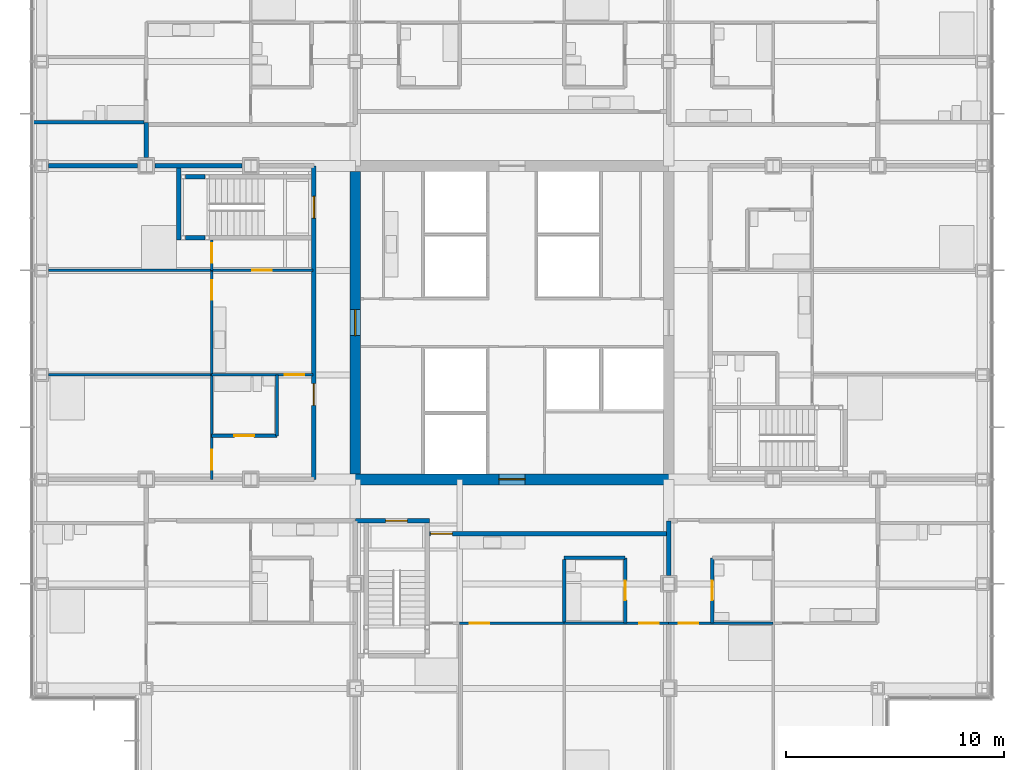
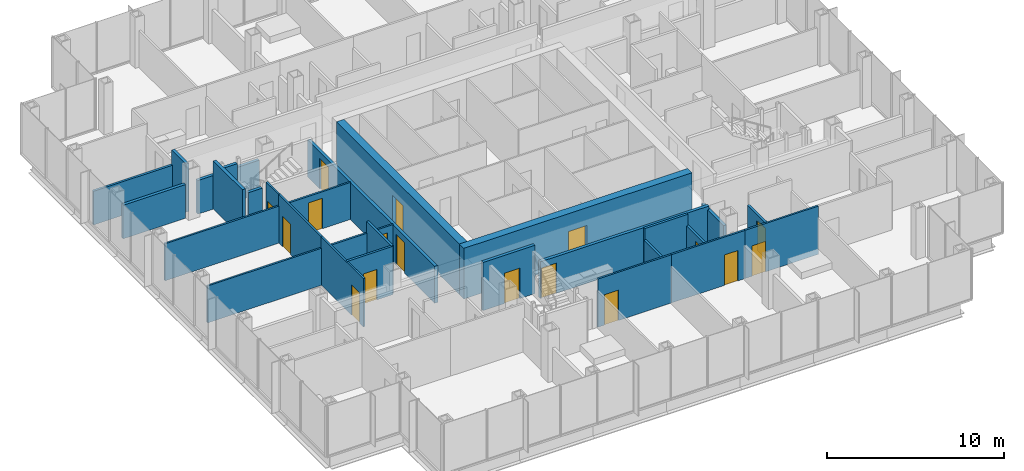
# One storey, part 14 of 21: 29 walls, 17 doors, 17 openings.
"""IFC4 building model written with IfcOpenShell, lengths in metres."""

import ifcopenshell
import ifcopenshell.guid

model = None  # the IFC model being written
_history = None  # IfcOwnerHistory: only IFC2X3 demands one
_inside = {}  # id of a spatial element -> (the spatial element, [elements in it])
_under = {}  # id of a project, library or spatial element -> (it, [spatial elements below it])
_declared = {}  # id of a project -> (the project, [libraries it declares])
_typed = {}  # id of a type object -> (the type object, [elements of that type])
_made_of = {}  # id of a material, layer set ... -> (it, [elements and type objects made of it])


def new_model(schema):
    """Start an empty IFC model of exactly this schema.

    Asked for "IFC4X3", IfcOpenShell would pick the latest addendum, in which some entities
    have other attributes; the version numbers below select the first issue.
    IFC2X3 requires an IfcOwnerHistory on every rooted entity: one is made here for all.
    """
    global model, _history
    if schema == "IFC4X3":
        model = ifcopenshell.file(schema_version=(4, 3, 0, 0))
    else:
        model = ifcopenshell.file(schema=schema)
    _inside.clear()
    _under.clear()
    _declared.clear()
    _typed.clear()
    _made_of.clear()
    _history = None
    if model.schema == "IFC2X3":
        org = make("IfcOrganization", Name="unknown")
        user = make(
            "IfcPersonAndOrganization",
            ThePerson=make("IfcPerson", FamilyName="unknown"),
            TheOrganization=org,
        )
        app = make(
            "IfcApplication",
            ApplicationDeveloper=org,
            Version="unknown",
            ApplicationFullName="unknown",
            ApplicationIdentifier="unknown",
        )
        _history = make(
            "IfcOwnerHistory",
            OwningUser=user,
            OwningApplication=app,
            ChangeAction="ADDED",
            CreationDate=0,
        )
    return model


def make(cls, **values):
    """One entity of the class cls with the attributes given. An attribute that is None is left unset."""
    return model.create_entity(
        cls, **{name: value for name, value in values.items() if value is not None}
    )


def rooted(cls, **values):
    """An entity with a GlobalId (a new one), such as an element, a storey or a relation."""
    return make(cls, GlobalId=ifcopenshell.guid.new(), OwnerHistory=_history, **values)


def si_unit(unit_type, name, prefix=None):
    """IfcSIUnit, for example si_unit("LENGTHUNIT", "METRE", prefix="MILLI")."""
    return make("IfcSIUnit", UnitType=unit_type, Prefix=prefix, Name=name)


def assignment(units):
    """IfcUnitAssignment: the units of a project."""
    return None if units is None else make("IfcUnitAssignment", Units=units)


def point(xyz):
    """IfcCartesianPoint."""
    return None if xyz is None else make("IfcCartesianPoint", Coordinates=xyz)


def direction(xyz):
    """IfcDirection."""
    return None if xyz is None else make("IfcDirection", DirectionRatios=xyz)


def frame(location, z_axis=None, x_axis=None):
    """IfcAxis2Placement3D, a coordinate frame: its origin and axes. An axis left out is left unset."""
    return make(
        "IfcAxis2Placement3D",
        Location=point(location),
        Axis=direction(z_axis),
        RefDirection=direction(x_axis),
    )


def frame_2d(location, x_axis=None):
    """IfcAxis2Placement2D, a coordinate frame in the plane: its origin and x axis."""
    return make(
        "IfcAxis2Placement2D", Location=point(location), RefDirection=direction(x_axis)
    )


def origin():
    """The frame at (0, 0, 0) with its axes left unset."""
    return frame((0.0, 0.0, 0.0))


def place(relative_to, where):
    """IfcLocalPlacement: puts the frame where relative to a parent placement (None: the world)."""
    return make(
        "IfcLocalPlacement", PlacementRelTo=relative_to, RelativePlacement=where
    )


def context(
    kind, dimensions, precision=None, world=None, true_north=None, identifier=None
):
    """IfcGeometricRepresentationContext, for example the 3D "Model" context."""
    return make(
        "IfcGeometricRepresentationContext",
        ContextIdentifier=identifier,
        ContextType=kind,
        CoordinateSpaceDimension=dimensions,
        Precision=precision,
        WorldCoordinateSystem=world,
        TrueNorth=true_north,
    )


def subcontext(parent, identifier, kind, view, scale=None):
    """IfcGeometricRepresentationSubContext, for example "Body" below "Model"."""
    return make(
        "IfcGeometricRepresentationSubContext",
        ContextIdentifier=identifier,
        ContextType=kind,
        ParentContext=parent,
        TargetScale=scale,
        TargetView=view,
    )


def project(units=None, contexts=None):
    """IfcProject with its units and contexts."""
    return rooted(
        "IfcProject",
        Name="project",
        RepresentationContexts=contexts,
        UnitsInContext=assignment(units),
    )


def spatial(cls, under=None, at=None, **own):
    """A site, building, storey or space (cls), placed at a placement, below another one or the project."""
    s = rooted(cls, ObjectPlacement=at, **own)
    if under is not None:
        _under.setdefault(under.id(), (under, []))[1].append(s)
    return s


def profile(cls, at=None, kind="AREA", **sizes):
    """A parametric profile (cls). Its sizes go by their IFC names, for example OverallWidth=200.0."""
    return make(cls, ProfileType=kind, Position=at, **sizes)


def rectangle(**sizes):
    """IfcRectangleProfileDef."""
    return profile("IfcRectangleProfileDef", **sizes)


def extrude(swept, where, along, depth):
    """IfcExtrudedAreaSolid: the profile swept, set in the frame where, extruded along a direction by depth."""
    return make(
        "IfcExtrudedAreaSolid",
        SweptArea=swept,
        Position=where,
        ExtrudedDirection=direction(along),
        Depth=depth,
    )


def shape(context_of_items, identifier, shape_type, items):
    """IfcShapeRepresentation: the items that make up one representation, for example the "Body"."""
    return make(
        "IfcShapeRepresentation",
        ContextOfItems=context_of_items,
        RepresentationIdentifier=identifier,
        RepresentationType=shape_type,
        Items=items,
    )


def material(Name=None, Category=None):
    """IfcMaterial."""
    return make("IfcMaterial", Name=Name, Category=Category)


def layer(
    of_material, thickness, ventilated=None, Name=None, Category=None, Priority=None
):
    """IfcMaterialLayer: one layer of a wall or slab, of a material (None: an air gap)."""
    return make(
        "IfcMaterialLayer",
        Material=of_material,
        LayerThickness=thickness,
        IsVentilated=ventilated,
        Name=Name,
        Category=Category,
        Priority=Priority,
    )


def layer_set(layers, Name=None):
    """IfcMaterialLayerSet."""
    return make("IfcMaterialLayerSet", MaterialLayers=layers, LayerSetName=Name)


def made_of(thing, what):
    """Note that an element or type object is made of a material, layer set ...; save() writes the relation."""
    if what is not None:
        _made_of.setdefault(what.id(), (what, []))[1].append(thing)
    return thing


def type_object(cls, material=None, **own):
    """A type object (cls), such as IfcWallType, which elements share."""
    return made_of(rooted(cls, **own), material)


def element(
    cls,
    number,
    at=None,
    inside=None,
    cuts=None,
    type_object=None,
    material=None,
    context=None,
    identifier="Body",
    shape_type=None,
    held_by="IfcProductDefinitionShape",
    body=None,
    shapes=None,
    **own,
):
    """One element of the class cls, such as IfcWall. Its Tag is "e" and its number.

    at: its placement. inside: the storey or other place that contains it. cuts: it is an
    opening in that element (IfcRelVoidsElement). A single representation is given by context,
    identifier, shape_type and body (its items); several are given by shapes. held_by: the class
    of the entity that holds the representations. save() writes the other relations.
    """
    e = rooted(cls, Tag="e%d" % number, ObjectPlacement=at, **own)
    if body is not None:
        shapes = [shape(context, identifier, shape_type, body)]
    if shapes is not None:
        e.Representation = make(held_by, Representations=shapes)
    if inside is not None:
        _inside.setdefault(inside.id(), (inside, []))[1].append(e)
    if cuts is not None:
        rooted(
            "IfcRelVoidsElement", RelatingBuildingElement=cuts, RelatedOpeningElement=e
        )
    if type_object is not None:
        _typed.setdefault(type_object.id(), (type_object, []))[1].append(e)
    return made_of(e, material)


def fill(opening, filler):
    """IfcRelFillsElement: the door or window that sits in an opening."""
    return rooted(
        "IfcRelFillsElement",
        RelatingOpeningElement=opening,
        RelatedBuildingElement=filler,
    )


def aggregate(whole, parts):
    """IfcRelAggregates: a whole, such as a stair, and the parts it consists of."""
    return rooted("IfcRelAggregates", RelatingObject=whole, RelatedObjects=parts)


def save(model, path):
    """Write the relations noted so far, then the file.

    IfcRelAggregates (storeys below a building ...), IfcRelContainedInSpatialStructure (elements
    in a storey), IfcRelDefinesByType, IfcRelAssociatesMaterial and IfcRelDeclares: one each for
    every whole, place, type object, material and project.
    """
    for whole, parts in _under.values():
        aggregate(whole, parts)
    for where, things in _inside.values():
        rooted(
            "IfcRelContainedInSpatialStructure",
            RelatedElements=things,
            RelatingStructure=where,
        )
    for kind, things in _typed.values():
        rooted("IfcRelDefinesByType", RelatedObjects=things, RelatingType=kind)
    for what, things in _made_of.values():
        rooted("IfcRelAssociatesMaterial", RelatedObjects=things, RelatingMaterial=what)
    for by, libraries in _declared.values():
        rooted("IfcRelDeclares", RelatingContext=by, RelatedDefinitions=libraries)
    model.write(path)


model = new_model("IFC4")

# Units and contexts
model_context = context("Model", 3, precision=1e-05, world=origin(), true_north=direction((0.0, 1.0)))
body_context = subcontext(model_context, "Body", "Model", "MODEL_VIEW")
ifc_project = project(units=[si_unit("LENGTHUNIT", "METRE"), si_unit("AREAUNIT", "SQUARE_METRE"), si_unit("VOLUMEUNIT", "CUBIC_METRE"), si_unit("PLANEANGLEUNIT", "RADIAN"), si_unit("MASSUNIT", "GRAM", prefix="KILO")], contexts=[model_context])

# Site, building, storey
site_placement = place(None, origin())
site = spatial("IfcSite", under=ifc_project, at=site_placement, CompositionType="ELEMENT")
building_placement = place(site_placement, origin())
building = spatial("IfcBuilding", under=site, at=building_placement, Name="Kvirike Care Tower", CompositionType="ELEMENT")
storey_placement = place(building_placement, frame((0.0, 0.0, 65.5)))
storey = spatial("IfcBuildingStorey", under=building, at=storey_placement, Name="L17", CompositionType="ELEMENT", Elevation=65.5)

# Wall, opening, door
ifc_material_1 = material(Name="Moisture-resistant board partition", Category="gypsum")
ifc_layer_1 = layer(ifc_material_1, 0.14990234375)
ifc_layer_set_1 = layer_set([ifc_layer_1], Name="BATHROOM WALL 150")
wall_type_1 = type_object("IfcWallType", Name="BATHROOM WALL 150", PredefinedType="PARTITIONING", material=ifc_layer_set_1)
wall_1_placement = place(storey_placement, frame((7.800048828125, 30.800048828125, 0.0), z_axis=(0.0, 0.0, 1.0), x_axis=(1.0, 0.0, 0.0)))
wall_1 = element("IfcWall", 1, at=wall_1_placement, inside=storey, type_object=wall_type_1, Name="Bathroom Wall 150 L17", PredefinedType="PARTITIONING", context=body_context, shape_type="SweptSolid", body=[
    extrude(rectangle(XDim=3.0, YDim=0.14990234375, at=frame_2d((1.5, 0.0))), origin(), (0.0, 0.0, 1.0), 3.330078125),
])
opening_1_placement = place(wall_1_placement, frame((1.050048828125, 0.0, 0.0)))
opening_1 = element("IfcOpeningElement", 2, at=opening_1_placement, cuts=wall_1, Name="Opening 17-007", PredefinedType="OPENING", context=body_context, shape_type="SweptSolid", body=[
    extrude(rectangle(XDim=0.89990234375, YDim=2.10009765625, at=frame_2d((0.449951171875, 1.050048828125))), frame((0.0, 0.08544921875, 0.0), z_axis=(0.0, -1.0, 0.0), x_axis=(1.0, 0.0, 0.0)), (0.0, 0.0, 1.0), 0.1708984375),
])
ifc_material_2 = material(Name="Timber door set", Category="wood")
door_type_1 = type_object("IfcDoorType", Name="BATHROOM DOOR 900", OperationType="SINGLE_SWING_RIGHT", PredefinedType="DOOR", material=ifc_material_2)
door_1_placement = place(opening_1_placement, origin())
door_1 = element("IfcDoor", 3, at=door_1_placement, inside=storey, type_object=door_type_1, Name="Bathroom door", OperationType="SINGLE_SWING_LEFT", OverallHeight=2.10009765625, OverallWidth=0.89990234375, PredefinedType="DOOR", context=body_context, shape_type="SweptSolid", body=[
    extrude(rectangle(XDim=0.89990234375, YDim=2.10009765625, at=frame_2d((0.449951171875, 1.050048828125))), frame((0.0, 0.02197265625, 0.0), z_axis=(0.0, -1.0, 0.0), x_axis=(1.0, 0.0, 0.0)), (0.0, 0.0, 1.0), 0.0439453125),
])
fill(opening_1, door_1)

# Wall
wall_2_placement = place(storey_placement, frame((10.800048828125, 33.60009765625, 0.0), z_axis=(0.0, 0.0, 1.0), x_axis=(0.0, -1.0, 0.0)))
element("IfcWall", 4, at=wall_2_placement, inside=storey, type_object=wall_type_1, Name="Bathroom Wall 150 L17", PredefinedType="PARTITIONING", context=body_context, shape_type="SweptSolid", body=[
    extrude(rectangle(XDim=2.800048828125, YDim=0.14990234375, at=frame_2d((1.39990234375, 0.0))), origin(), (0.0, 0.0, 1.0), 3.330078125),
])

# Wall, opening, door
wall_3_placement = place(storey_placement, frame((26.800048828125, 22.199951171875, 0.0), z_axis=(0.0, 0.0, 1.0), x_axis=(0.0, 1.0, 0.0)))
wall_3 = element("IfcWall", 5, at=wall_3_placement, inside=storey, type_object=wall_type_1, Name="Bathroom Wall 150 L17", PredefinedType="PARTITIONING", context=body_context, shape_type="SweptSolid", body=[
    extrude(rectangle(XDim=3.0, YDim=0.14990234375, at=frame_2d((1.5, 0.0))), origin(), (0.0, 0.0, 1.0), 2.550048828125),
])
opening_2_placement = place(wall_3_placement, frame((1.050048828125, 0.0, 0.0)))
opening_2 = element("IfcOpeningElement", 6, at=opening_2_placement, cuts=wall_3, Name="Opening 17-022", PredefinedType="OPENING", context=body_context, shape_type="SweptSolid", body=[
    extrude(rectangle(XDim=0.89990234375, YDim=2.10009765625, at=frame_2d((0.449951171875, 1.050048828125))), frame((0.0, 0.08544921875, 0.0), z_axis=(0.0, -1.0, 0.0), x_axis=(1.0, 0.0, 0.0)), (0.0, 0.0, 1.0), 0.1708984375),
])
door_2_placement = place(opening_2_placement, origin())
door_2 = element("IfcDoor", 7, at=door_2_placement, inside=storey, type_object=door_type_1, Name="Bathroom door", OperationType="SINGLE_SWING_RIGHT", OverallHeight=2.10009765625, OverallWidth=0.89990234375, PredefinedType="DOOR", context=body_context, shape_type="SweptSolid", body=[
    extrude(rectangle(XDim=0.89990234375, YDim=2.10009765625, at=frame_2d((0.449951171875, 1.050048828125))), frame((0.0, 0.02197265625, 0.0), z_axis=(0.0, -1.0, 0.0), x_axis=(1.0, 0.0, 0.0)), (0.0, 0.0, 1.0), 0.0439453125),
])
fill(opening_2, door_2)

# Wall
wall_4_placement = place(storey_placement, frame((24.0, 25.199951171875, 0.0), z_axis=(0.0, 0.0, 1.0), x_axis=(1.0, 0.0, 0.0)))
element("IfcWall", 8, at=wall_4_placement, inside=storey, type_object=wall_type_1, Name="Bathroom Wall 150 L17", PredefinedType="PARTITIONING", context=body_context, shape_type="SweptSolid", body=[
    extrude(rectangle(XDim=2.800048828125, YDim=0.14990234375, at=frame_2d((1.39990234375, 0.0))), origin(), (0.0, 0.0, 1.0), 3.330078125),
])

# Wall, opening, door
wall_5_placement = place(storey_placement, frame((30.800048828125, 22.199951171875, 0.0), z_axis=(0.0, 0.0, 1.0), x_axis=(0.0, 1.0, 0.0)))
wall_5 = element("IfcWall", 9, at=wall_5_placement, inside=storey, type_object=wall_type_1, Name="Bathroom Wall 150 L17", PredefinedType="PARTITIONING", context=body_context, shape_type="SweptSolid", body=[
    extrude(rectangle(XDim=3.0, YDim=0.14990234375, at=frame_2d((1.5, 0.0))), origin(), (0.0, 0.0, 1.0), 2.550048828125),
])
opening_3_placement = place(wall_5_placement, frame((1.050048828125, 0.0, 0.0)))
opening_3 = element("IfcOpeningElement", 10, at=opening_3_placement, cuts=wall_5, Name="Opening 17-033", PredefinedType="OPENING", context=body_context, shape_type="SweptSolid", body=[
    extrude(rectangle(XDim=0.89990234375, YDim=2.10009765625, at=frame_2d((0.449951171875, 1.050048828125))), frame((0.0, 0.08544921875, 0.0), z_axis=(0.0, -1.0, 0.0), x_axis=(1.0, 0.0, 0.0)), (0.0, 0.0, 1.0), 0.1708984375),
])
door_3_placement = place(opening_3_placement, frame((0.89990234375, 0.0, 0.0), z_axis=(0.0, 0.0, 1.0), x_axis=(-1.0, 0.0, 0.0)))
door_3 = element("IfcDoor", 11, at=door_3_placement, inside=storey, type_object=door_type_1, Name="Shower room door", OperationType="SINGLE_SWING_RIGHT", OverallHeight=2.10009765625, OverallWidth=0.89990234375, PredefinedType="DOOR", context=body_context, shape_type="SweptSolid", body=[
    extrude(rectangle(XDim=0.89990234375, YDim=2.10009765625, at=frame_2d((0.449951171875, 1.050048828125))), frame((0.0, 0.02197265625, 0.0), z_axis=(0.0, -1.0, 0.0), x_axis=(1.0, 0.0, 0.0)), (0.0, 0.0, 1.0), 0.0439453125),
])
fill(opening_3, door_3)

# Walls
wall_6_placement = place(storey_placement, frame((4.699951171875, 45.199951171875, 0.0), z_axis=(0.0, 0.0, 1.0), x_axis=(-1.0, 0.0, 0.0)))
element("IfcWall", 12, at=wall_6_placement, inside=storey, type_object=wall_type_1, Name="Bathroom Wall 150 L17", PredefinedType="PARTITIONING", context=body_context, shape_type="SweptSolid", body=[
    extrude(rectangle(XDim=5.135009765625, YDim=0.14990234375, at=frame_2d((2.5673828125, 0.0))), origin(), (0.0, 0.0, 1.0), 2.320068359375),
])
wall_7_placement = place(storey_placement, frame((24.0, 22.260009765625, 0.0), z_axis=(0.0, 0.0, 1.0), x_axis=(0.0, 1.0, 0.0)))
element("IfcWall", 13, at=wall_7_placement, inside=storey, type_object=wall_type_1, Name="Bathroom Wall 150 L17", PredefinedType="PARTITIONING", context=body_context, shape_type="SweptSolid", body=[
    extrude(rectangle(XDim=2.864990234375, YDim=0.14990234375, at=frame_2d((1.4326171875, 0.0))), origin(), (0.0, 0.0, 1.0), 2.550048828125),
])

# Wall, opening, door
ifc_material_3 = material(Name="Concrete C60/75", Category="concrete")
ifc_layer_2 = layer(ifc_material_3, 0.5)
ifc_layer_set_2 = layer_set([ifc_layer_2], Name="CORE WALL 500 C60-75")
wall_type_2 = type_object("IfcWallType", Name="CORE WALL 500 C60-75", PredefinedType="SHEAR", material=ifc_layer_set_2)
wall_8_placement = place(storey_placement, frame((14.14990234375, 28.800048828125, -0.169921875), z_axis=(0.0, 0.0, 1.0), x_axis=(1.0, 0.0, 0.0)))
wall_8 = element("IfcWall", 14, at=wall_8_placement, inside=storey, type_object=wall_type_2, Name="Core wall S L17", PredefinedType="SHEAR", context=body_context, shape_type="SweptSolid", body=[
    extrude(rectangle(XDim=14.900146484375, YDim=0.5, at=frame_2d((7.4501953125, 0.0))), origin(), (0.0, 0.0, 1.0), 3.5),
])
opening_4_placement = place(wall_8_placement, frame((6.85009765625, 0.0, 0.169921875)))
opening_4 = element("IfcOpeningElement", 15, at=opening_4_placement, cuts=wall_8, Name="Opening 17-064", PredefinedType="OPENING", context=body_context, shape_type="SweptSolid", body=[
    extrude(rectangle(XDim=1.199951171875, YDim=2.10009765625, at=frame_2d((0.60009765625, 1.050048828125))), frame((0.0, 0.260498046875, 0.0), z_axis=(0.0, -1.0, 0.0), x_axis=(1.0, 0.0, 0.0)), (0.0, 0.0, 1.0), 0.52099609375),
])
ifc_material_4 = material(Name="Timber door set", Category="wood")
door_type_2 = type_object("IfcDoorType", Name="CORE DOOR 1200", OperationType="SINGLE_SWING_LEFT", PredefinedType="DOOR", material=ifc_material_4)
door_4_placement = place(opening_4_placement, origin())
door_4 = element("IfcDoor", 16, at=door_4_placement, inside=storey, type_object=door_type_2, Name="Core door S L17", OperationType="SINGLE_SWING_LEFT", OverallHeight=2.10009765625, OverallWidth=1.199951171875, PredefinedType="DOOR", context=body_context, shape_type="SweptSolid", body=[
    extrude(rectangle(XDim=1.199951171875, YDim=2.10009765625, at=frame_2d((0.60009765625, 1.050048828125))), frame((0.0, 0.02685546875, 0.0), z_axis=(0.0, -1.0, 0.0), x_axis=(1.0, 0.0, 0.0)), (0.0, 0.0, 1.0), 0.053955078125),
])
fill(opening_4, door_4)

wall_9_placement = place(storey_placement, frame((14.39990234375, 42.949951171875, -0.169921875), z_axis=(0.0, 0.0, 1.0), x_axis=(0.0, -1.0, 0.0)))
wall_9 = element("IfcWall", 17, at=wall_9_placement, inside=storey, type_object=wall_type_2, Name="Core wall W L17", PredefinedType="SHEAR", context=body_context, shape_type="SweptSolid", body=[
    extrude(rectangle(XDim=13.89990234375, YDim=0.5, at=frame_2d((6.949951171875, 0.0))), origin(), (0.0, 0.0, 1.0), 3.5),
])
opening_5_placement = place(wall_9_placement, frame((6.35009765625, 0.0, 0.169921875)))
opening_5 = element("IfcOpeningElement", 18, at=opening_5_placement, cuts=wall_9, Name="Opening 17-065", PredefinedType="OPENING", context=body_context, shape_type="SweptSolid", body=[
    extrude(rectangle(XDim=1.199951171875, YDim=2.10009765625, at=frame_2d((0.60009765625, 1.050048828125))), frame((0.0, 0.260498046875, 0.0), z_axis=(0.0, -1.0, 0.0), x_axis=(1.0, 0.0, 0.0)), (0.0, 0.0, 1.0), 0.52099609375),
])
door_5_placement = place(opening_5_placement, origin())
door_5 = element("IfcDoor", 19, at=door_5_placement, inside=storey, type_object=door_type_2, Name="Core door W L17", OperationType="SINGLE_SWING_LEFT", OverallHeight=2.10009765625, OverallWidth=1.199951171875, PredefinedType="DOOR", context=body_context, shape_type="SweptSolid", body=[
    extrude(rectangle(XDim=1.199951171875, YDim=2.10009765625, at=frame_2d((0.60009765625, 1.050048828125))), frame((0.0, 0.02685546875, 0.0), z_axis=(0.0, -1.0, 0.0), x_axis=(1.0, 0.0, 0.0)), (0.0, 0.0, 1.0), 0.053955078125),
])
fill(opening_5, door_5)

# Wall, openings, doors
ifc_material_5 = material(Name="Plasterboard corridor wall", Category="gypsum")
ifc_layer_3 = layer(ifc_material_5, 0.199951171875)
ifc_layer_set_3 = layer_set([ifc_layer_3], Name="CORRIDOR WALL 200")
wall_type_3 = type_object("IfcWallType", Name="CORRIDOR WALL 200", PredefinedType="PARTITIONING", material=ifc_layer_set_3)
wall_10_placement = place(storey_placement, frame((12.5, 43.199951171875, 0.0), z_axis=(0.0, 0.0, 1.0), x_axis=(0.0, -1.0, 0.0)))
wall_10 = element("IfcWall", 20, at=wall_10_placement, inside=storey, type_object=wall_type_3, Name="Corridor Wall 200 L17", PredefinedType="PARTITIONING", context=body_context, shape_type="SweptSolid", body=[
    extrude(rectangle(XDim=14.39990234375, YDim=0.199951171875, at=frame_2d((7.199951171875, 0.0))), origin(), (0.0, 0.0, 1.0), 2.550048828125),
])
opening_6_placement = place(wall_10_placement, frame((1.39990234375, 0.0, 0.0)))
opening_6 = element("IfcOpeningElement", 21, at=opening_6_placement, cuts=wall_10, Name="Opening 17-013", PredefinedType="OPENING", context=body_context, shape_type="SweptSolid", body=[
    extrude(rectangle(XDim=1.0, YDim=2.10009765625, at=frame_2d((0.5, 1.050048828125))), frame((0.0, 0.110595703125, 0.0), z_axis=(0.0, -1.0, 0.0), x_axis=(1.0, 0.0, 0.0)), (0.0, 0.0, 1.0), 0.220947265625),
])
opening_7_placement = place(wall_10_placement, frame((10.0, 0.0, 0.0)))
opening_7 = element("IfcOpeningElement", 22, at=opening_7_placement, cuts=wall_10, Name="Opening 17-014", PredefinedType="OPENING", context=body_context, shape_type="SweptSolid", body=[
    extrude(rectangle(XDim=1.0, YDim=2.10009765625, at=frame_2d((0.5, 1.050048828125))), frame((0.0, 0.110595703125, 0.0), z_axis=(0.0, -1.0, 0.0), x_axis=(1.0, 0.0, 0.0)), (0.0, 0.0, 1.0), 0.220947265625),
])
ifc_material_6 = material(Name="Timber door set", Category="wood")
door_type_3 = type_object("IfcDoorType", Name="FLAT ENTRANCE DOOR 1000", OperationType="SINGLE_SWING_LEFT", PredefinedType="DOOR", material=ifc_material_6)
door_6_placement = place(opening_7_placement, frame((1.0, 0.0, 0.0), z_axis=(0.0, 0.0, 1.0), x_axis=(-1.0, 0.0, 0.0)))
door_6 = element("IfcDoor", 23, at=door_6_placement, inside=storey, type_object=door_type_3, Name="Two-bedroom apartment entrance", OperationType="SINGLE_SWING_LEFT", OverallHeight=2.10009765625, OverallWidth=1.0, PredefinedType="DOOR", context=body_context, shape_type="SweptSolid", body=[
    extrude(rectangle(XDim=1.0, YDim=2.10009765625, at=frame_2d((0.5, 1.050048828125))), frame((0.0, 0.02685546875, 0.0), z_axis=(0.0, -1.0, 0.0), x_axis=(1.0, 0.0, 0.0)), (0.0, 0.0, 1.0), 0.053955078125),
])
fill(opening_7, door_6)
ifc_material_7 = material(Name="Timber door set", Category="wood")
door_type_4 = type_object("IfcDoorType", Name="STAIR DOOR 1000", OperationType="SINGLE_SWING_LEFT", PredefinedType="DOOR", material=ifc_material_7)
door_7_placement = place(opening_6_placement, frame((1.0, 0.0, 0.0), z_axis=(0.0, 0.0, 1.0), x_axis=(-1.0, 0.0, 0.0)))
door_7 = element("IfcDoor", 24, at=door_7_placement, inside=storey, type_object=door_type_4, Name="Stair 1 door", OperationType="SINGLE_SWING_LEFT", OverallHeight=2.10009765625, OverallWidth=1.0, PredefinedType="DOOR", context=body_context, shape_type="SweptSolid", body=[
    extrude(rectangle(XDim=1.0, YDim=2.10009765625, at=frame_2d((0.5, 1.050048828125))), frame((0.0, 0.031982421875, 0.0), z_axis=(0.0, -1.0, 0.0), x_axis=(1.0, 0.0, 0.0)), (0.0, 0.0, 1.0), 0.06396484375),
])
fill(opening_6, door_7)

# Wall
wall_11_placement = place(storey_placement, frame((4.800048828125, 45.199951171875, 0.0), z_axis=(0.0, 0.0, 1.0), x_axis=(0.0, -1.0, 0.0)))
element("IfcWall", 25, at=wall_11_placement, inside=storey, type_object=wall_type_3, Name="Corridor Wall 200 L17", PredefinedType="PARTITIONING", context=body_context, shape_type="SweptSolid", body=[
    extrude(rectangle(XDim=1.60498046875, YDim=0.199951171875, at=frame_2d((0.802490234375, 0.0))), origin(), (0.0, 0.0, 1.0), 3.330078125),
])

# Wall, opening, door
wall_12_placement = place(storey_placement, frame((17.800048828125, 26.300048828125, 0.0), z_axis=(0.0, 0.0, 1.0), x_axis=(1.0, 0.0, 0.0)))
wall_12 = element("IfcWall", 26, at=wall_12_placement, inside=storey, type_object=wall_type_3, Name="Corridor Wall 200 L17", PredefinedType="PARTITIONING", context=body_context, shape_type="SweptSolid", body=[
    extrude(rectangle(XDim=11.0, YDim=0.199951171875, at=frame_2d((5.5, 0.0))), origin(), (0.0, 0.0, 1.0), 2.550048828125),
])
opening_8_placement = place(wall_12_placement, frame((0.06005859375, 0.0, 0.0)))
opening_8 = element("IfcOpeningElement", 27, at=opening_8_placement, cuts=wall_12, Name="Opening 17-026", PredefinedType="OPENING", context=body_context, shape_type="SweptSolid", body=[
    extrude(rectangle(XDim=1.0, YDim=2.10009765625, at=frame_2d((0.5, 1.050048828125))), frame((0.0, 0.110595703125, 0.0), z_axis=(0.0, -1.0, 0.0), x_axis=(1.0, 0.0, 0.0)), (0.0, 0.0, 1.0), 0.220947265625),
])
door_8_placement = place(opening_8_placement, frame((1.0, 0.0, 0.0), z_axis=(0.0, 0.0, 1.0), x_axis=(-1.0, 0.0, 0.0)))
door_8 = element("IfcDoor", 28, at=door_8_placement, inside=storey, type_object=door_type_3, Name="Two-bedroom apartment entrance", OperationType="SINGLE_SWING_LEFT", OverallHeight=2.10009765625, OverallWidth=1.0, PredefinedType="DOOR", context=body_context, shape_type="SweptSolid", body=[
    extrude(rectangle(XDim=1.0, YDim=2.10009765625, at=frame_2d((0.5, 1.050048828125))), frame((0.0, 0.02685546875, 0.0), z_axis=(0.0, -1.0, 0.0), x_axis=(1.0, 0.0, 0.0)), (0.0, 0.0, 1.0), 0.053955078125),
])
fill(opening_8, door_8)

ifc_material_8 = material(Name="Plasterboard partition", Category="gypsum")
ifc_layer_4 = layer(ifc_material_8, 0.1201171875)
ifc_layer_set_4 = layer_set([ifc_layer_4], Name="PARTITION 120")
wall_type_4 = type_object("IfcWallType", Name="PARTITION 120", PredefinedType="PARTITIONING", material=ifc_layer_set_4)
wall_13_placement = place(storey_placement, frame((7.800048828125, 38.39990234375, 0.0), z_axis=(0.0, 0.0, 1.0), x_axis=(1.0, 0.0, 0.0)))
wall_13 = element("IfcWall", 29, at=wall_13_placement, inside=storey, type_object=wall_type_4, Name="Partition 120 L17", PredefinedType="PARTITIONING", context=body_context, shape_type="SweptSolid", body=[
    extrude(rectangle(XDim=4.64990234375, YDim=0.1201171875, at=frame_2d((2.324951171875, 0.0))), origin(), (0.0, 0.0, 1.0), 2.550048828125),
])
opening_9_placement = place(wall_13_placement, frame((1.875, 0.0, 0.0)))
opening_9 = element("IfcOpeningElement", 30, at=opening_9_placement, cuts=wall_13, Name="Opening 17-008", PredefinedType="OPENING", context=body_context, shape_type="SweptSolid", body=[
    extrude(rectangle(XDim=0.89990234375, YDim=2.10009765625, at=frame_2d((0.449951171875, 1.050048828125))), frame((0.0, 0.070556640625, 0.0), z_axis=(0.0, -1.0, 0.0), x_axis=(1.0, 0.0, 0.0)), (0.0, 0.0, 1.0), 0.14111328125),
])
ifc_material_9 = material(Name="Timber door set", Category="wood")
door_type_5 = type_object("IfcDoorType", Name="INTERNAL DOOR 900", OperationType="SINGLE_SWING_LEFT", PredefinedType="DOOR", material=ifc_material_9)
door_9_placement = place(opening_9_placement, origin())
door_9 = element("IfcDoor", 31, at=door_9_placement, inside=storey, type_object=door_type_5, Name="Hall door", OperationType="SINGLE_SWING_RIGHT", OverallHeight=2.10009765625, OverallWidth=0.89990234375, PredefinedType="DOOR", context=body_context, shape_type="SweptSolid", body=[
    extrude(rectangle(XDim=0.89990234375, YDim=2.10009765625, at=frame_2d((0.449951171875, 1.050048828125))), frame((0.0, 0.02197265625, 0.0), z_axis=(0.0, -1.0, 0.0), x_axis=(1.0, 0.0, 0.0)), (0.0, 0.0, 1.0), 0.0439453125),
])
fill(opening_9, door_9)

wall_14_placement = place(storey_placement, frame((7.800048828125, 33.60009765625, 0.0), z_axis=(0.0, 0.0, 1.0), x_axis=(1.0, 0.0, 0.0)))
wall_14 = element("IfcWall", 32, at=wall_14_placement, inside=storey, type_object=wall_type_4, Name="Partition 120 L17", PredefinedType="PARTITIONING", context=body_context, shape_type="SweptSolid", body=[
    extrude(rectangle(XDim=4.64990234375, YDim=0.1201171875, at=frame_2d((2.324951171875, 0.0))), origin(), (0.0, 0.0, 1.0), 2.550048828125),
])
opening_10_placement = place(wall_14_placement, frame((3.35009765625, 0.0, 0.0)))
opening_10 = element("IfcOpeningElement", 33, at=opening_10_placement, cuts=wall_14, Name="Opening 17-009", PredefinedType="OPENING", context=body_context, shape_type="SweptSolid", body=[
    extrude(rectangle(XDim=0.89990234375, YDim=2.10009765625, at=frame_2d((0.449951171875, 1.050048828125))), frame((0.0, 0.070556640625, 0.0), z_axis=(0.0, -1.0, 0.0), x_axis=(1.0, 0.0, 0.0)), (0.0, 0.0, 1.0), 0.14111328125),
])
door_10_placement = place(opening_10_placement, origin())
door_10 = element("IfcDoor", 34, at=door_10_placement, inside=storey, type_object=door_type_5, Name="Hall door", OperationType="SINGLE_SWING_LEFT", OverallHeight=2.10009765625, OverallWidth=0.89990234375, PredefinedType="DOOR", context=body_context, shape_type="SweptSolid", body=[
    extrude(rectangle(XDim=0.89990234375, YDim=2.10009765625, at=frame_2d((0.449951171875, 1.050048828125))), frame((0.0, 0.02197265625, 0.0), z_axis=(0.0, -1.0, 0.0), x_axis=(1.0, 0.0, 0.0)), (0.0, 0.0, 1.0), 0.0439453125),
])
fill(opening_10, door_10)

wall_15_placement = place(storey_placement, frame((7.800048828125, 39.800048828125, 0.0), z_axis=(0.0, 0.0, 1.0), x_axis=(0.0, -1.0, 0.0)))
wall_15 = element("IfcWall", 35, at=wall_15_placement, inside=storey, type_object=wall_type_4, Name="Partition 120 L17", PredefinedType="PARTITIONING", context=body_context, shape_type="SweptSolid", body=[
    extrude(rectangle(XDim=1.400146484375, YDim=0.1201171875, at=frame_2d((0.7001953125, 0.0))), origin(), (0.0, 0.0, 1.0), 3.330078125),
])
opening_11_placement = place(wall_15_placement, frame((0.14990234375, 0.0, 0.0)))
opening_11 = element("IfcOpeningElement", 36, at=opening_11_placement, cuts=wall_15, Name="Opening 17-010", PredefinedType="OPENING", context=body_context, shape_type="SweptSolid", body=[
    extrude(rectangle(XDim=0.89990234375, YDim=2.10009765625, at=frame_2d((0.449951171875, 1.050048828125))), frame((0.0, 0.070556640625, 0.0), z_axis=(0.0, -1.0, 0.0), x_axis=(1.0, 0.0, 0.0)), (0.0, 0.0, 1.0), 0.14111328125),
])
door_11_placement = place(opening_11_placement, origin())
door_11 = element("IfcDoor", 37, at=door_11_placement, inside=storey, type_object=door_type_5, Name="Apartment bedroom door", OperationType="SINGLE_SWING_RIGHT", OverallHeight=2.10009765625, OverallWidth=0.89990234375, PredefinedType="DOOR", context=body_context, shape_type="SweptSolid", body=[
    extrude(rectangle(XDim=0.89990234375, YDim=2.10009765625, at=frame_2d((0.449951171875, 1.050048828125))), frame((0.0, 0.02197265625, 0.0), z_axis=(0.0, -1.0, 0.0), x_axis=(1.0, 0.0, 0.0)), (0.0, 0.0, 1.0), 0.0439453125),
])
fill(opening_11, door_11)

wall_16_placement = place(storey_placement, frame((7.800048828125, 38.39990234375, 0.0), z_axis=(0.0, 0.0, 1.0), x_axis=(0.0, -1.0, 0.0)))
wall_16 = element("IfcWall", 38, at=wall_16_placement, inside=storey, type_object=wall_type_4, Name="Partition 120 L17", PredefinedType="PARTITIONING", context=body_context, shape_type="SweptSolid", body=[
    extrude(rectangle(XDim=4.7998046875, YDim=0.1201171875, at=frame_2d((2.39990234375, 0.0))), origin(), (0.0, 0.0, 1.0), 3.330078125),
])
opening_12_placement = place(wall_16_placement, frame((0.449951171875, 0.0, 0.0)))
opening_12 = element("IfcOpeningElement", 39, at=opening_12_placement, cuts=wall_16, Name="Opening 17-011", PredefinedType="OPENING", context=body_context, shape_type="SweptSolid", body=[
    extrude(rectangle(XDim=0.89990234375, YDim=2.10009765625, at=frame_2d((0.449951171875, 1.050048828125))), frame((0.0, 0.070556640625, 0.0), z_axis=(0.0, -1.0, 0.0), x_axis=(1.0, 0.0, 0.0)), (0.0, 0.0, 1.0), 0.14111328125),
])
door_12_placement = place(opening_12_placement, origin())
door_12 = element("IfcDoor", 40, at=door_12_placement, inside=storey, type_object=door_type_5, Name="Apartment living room door", OperationType="SINGLE_SWING_RIGHT", OverallHeight=2.10009765625, OverallWidth=0.89990234375, PredefinedType="DOOR", context=body_context, shape_type="SweptSolid", body=[
    extrude(rectangle(XDim=0.89990234375, YDim=2.10009765625, at=frame_2d((0.449951171875, 1.050048828125))), frame((0.0, 0.02197265625, 0.0), z_axis=(0.0, -1.0, 0.0), x_axis=(1.0, 0.0, 0.0)), (0.0, 0.0, 1.0), 0.0439453125),
])
fill(opening_12, door_12)

wall_17_placement = place(storey_placement, frame((7.800048828125, 33.60009765625, 0.0), z_axis=(0.0, 0.0, 1.0), x_axis=(0.0, -1.0, 0.0)))
wall_17 = element("IfcWall", 41, at=wall_17_placement, inside=storey, type_object=wall_type_4, Name="Partition 120 L17", PredefinedType="PARTITIONING", context=body_context, shape_type="SweptSolid", body=[
    extrude(rectangle(XDim=4.800048828125, YDim=0.1201171875, at=frame_2d((2.39990234375, 0.0))), origin(), (0.0, 0.0, 1.0), 3.330078125),
])
opening_13_placement = place(wall_17_placement, frame((3.449951171875, 0.0, 0.0)))
opening_13 = element("IfcOpeningElement", 42, at=opening_13_placement, cuts=wall_17, Name="Opening 17-012", PredefinedType="OPENING", context=body_context, shape_type="SweptSolid", body=[
    extrude(rectangle(XDim=0.89990234375, YDim=2.10009765625, at=frame_2d((0.449951171875, 1.050048828125))), frame((0.0, 0.070556640625, 0.0), z_axis=(0.0, -1.0, 0.0), x_axis=(1.0, 0.0, 0.0)), (0.0, 0.0, 1.0), 0.14111328125),
])
door_13_placement = place(opening_13_placement, origin())
door_13 = element("IfcDoor", 43, at=door_13_placement, inside=storey, type_object=door_type_5, Name="Apartment bedroom door", OperationType="SINGLE_SWING_LEFT", OverallHeight=2.10009765625, OverallWidth=0.89990234375, PredefinedType="DOOR", context=body_context, shape_type="SweptSolid", body=[
    extrude(rectangle(XDim=0.89990234375, YDim=2.10009765625, at=frame_2d((0.449951171875, 1.050048828125))), frame((0.0, 0.02197265625, 0.0), z_axis=(0.0, -1.0, 0.0), x_axis=(1.0, 0.0, 0.0)), (0.0, 0.0, 1.0), 0.0439453125),
])
fill(opening_13, door_13)

# Walls
for number, where, z_axis, x_axis, name in (
    (44, (0.320068359375, 38.39990234375, 0.0), (0.0, 0.0, 1.0), (1.0, 0.0, 0.0), "Partition 120 L17"),
    (45, (0.320068359375, 33.60009765625, 0.0), (0.0, 0.0, 1.0), (1.0, 0.0, 0.0), "Partition 120 L17"),
):
    element("IfcWall", number, at=place(storey_placement, frame(where, z_axis=z_axis, x_axis=x_axis)), inside=storey, type_object=wall_type_4, Name=name, PredefinedType="PARTITIONING", context=body_context, shape_type="SweptSolid", body=[
        extrude(rectangle(XDim=7.47998046875, YDim=0.1201171875, at=frame_2d((3.739990234375, 0.0))), origin(), (0.0, 0.0, 1.0), 2.550048828125),
    ])

# Wall, opening, door
wall_18_placement = place(storey_placement, frame((19.199951171875, 22.199951171875, 0.0), z_axis=(0.0, 0.0, 1.0), x_axis=(1.0, 0.0, 0.0)))
wall_18 = element("IfcWall", 46, at=wall_18_placement, inside=storey, type_object=wall_type_4, Name="Partition 120 L17", PredefinedType="PARTITIONING", context=body_context, shape_type="SweptSolid", body=[
    extrude(rectangle(XDim=4.800048828125, YDim=0.1201171875, at=frame_2d((2.39990234375, 0.0))), origin(), (0.0, 0.0, 1.0), 3.330078125),
])
opening_14_placement = place(wall_18_placement, frame((0.449951171875, 0.0, 0.0)))
opening_14 = element("IfcOpeningElement", 47, at=opening_14_placement, cuts=wall_18, Name="Opening 17-024", PredefinedType="OPENING", context=body_context, shape_type="SweptSolid", body=[
    extrude(rectangle(XDim=0.89990234375, YDim=2.10009765625, at=frame_2d((0.449951171875, 1.050048828125))), frame((0.0, 0.070556640625, 0.0), z_axis=(0.0, -1.0, 0.0), x_axis=(1.0, 0.0, 0.0)), (0.0, 0.0, 1.0), 0.14111328125),
])
door_14_placement = place(opening_14_placement, origin())
door_14 = element("IfcDoor", 48, at=door_14_placement, inside=storey, type_object=door_type_5, Name="Apartment living room door", OperationType="SINGLE_SWING_RIGHT", OverallHeight=2.10009765625, OverallWidth=0.89990234375, PredefinedType="DOOR", context=body_context, shape_type="SweptSolid", body=[
    extrude(rectangle(XDim=0.89990234375, YDim=2.10009765625, at=frame_2d((0.449951171875, 1.050048828125))), frame((0.0, 0.02197265625, 0.0), z_axis=(0.0, -1.0, 0.0), x_axis=(1.0, 0.0, 0.0)), (0.0, 0.0, 1.0), 0.0439453125),
])
fill(opening_14, door_14)

wall_19_placement = place(storey_placement, frame((24.0, 22.199951171875, 0.0), z_axis=(0.0, 0.0, 1.0), x_axis=(1.0, 0.0, 0.0)))
wall_19 = element("IfcWall", 49, at=wall_19_placement, inside=storey, type_object=wall_type_4, Name="Partition 120 L17", PredefinedType="PARTITIONING", context=body_context, shape_type="SweptSolid", body=[
    extrude(rectangle(XDim=4.800048828125, YDim=0.1201171875, at=frame_2d((2.39990234375, 0.0))), origin(), (0.0, 0.0, 1.0), 3.330078125),
])
opening_15_placement = place(wall_19_placement, frame((3.449951171875, 0.0, 0.0)))
opening_15 = element("IfcOpeningElement", 50, at=opening_15_placement, cuts=wall_19, Name="Opening 17-025", PredefinedType="OPENING", context=body_context, shape_type="SweptSolid", body=[
    extrude(rectangle(XDim=0.89990234375, YDim=2.10009765625, at=frame_2d((0.449951171875, 1.050048828125))), frame((0.0, 0.070556640625, 0.0), z_axis=(0.0, -1.0, 0.0), x_axis=(1.0, 0.0, 0.0)), (0.0, 0.0, 1.0), 0.14111328125),
])
door_15_placement = place(opening_15_placement, origin())
door_15 = element("IfcDoor", 51, at=door_15_placement, inside=storey, type_object=door_type_5, Name="Apartment bedroom door", OperationType="SINGLE_SWING_LEFT", OverallHeight=2.10009765625, OverallWidth=0.89990234375, PredefinedType="DOOR", context=body_context, shape_type="SweptSolid", body=[
    extrude(rectangle(XDim=0.89990234375, YDim=2.10009765625, at=frame_2d((0.449951171875, 1.050048828125))), frame((0.0, 0.02197265625, 0.0), z_axis=(0.0, -1.0, 0.0), x_axis=(1.0, 0.0, 0.0)), (0.0, 0.0, 1.0), 0.0439453125),
])
fill(opening_15, door_15)

wall_20_placement = place(storey_placement, frame((28.800048828125, 22.199951171875, 0.0), z_axis=(0.0, 0.0, 1.0), x_axis=(1.0, 0.0, 0.0)))
wall_20 = element("IfcWall", 52, at=wall_20_placement, inside=storey, type_object=wall_type_4, Name="Partition 120 L17", PredefinedType="PARTITIONING", context=body_context, shape_type="SweptSolid", body=[
    extrude(rectangle(XDim=4.800048828125, YDim=0.1201171875, at=frame_2d((2.39990234375, 0.0))), origin(), (0.0, 0.0, 1.0), 3.330078125),
])
opening_16_placement = place(wall_20_placement, frame((0.449951171875, 0.0, 0.0)))
opening_16 = element("IfcOpeningElement", 53, at=opening_16_placement, cuts=wall_20, Name="Opening 17-036", PredefinedType="OPENING", context=body_context, shape_type="SweptSolid", body=[
    extrude(rectangle(XDim=0.89990234375, YDim=2.10009765625, at=frame_2d((0.449951171875, 1.050048828125))), frame((0.0, 0.070556640625, 0.0), z_axis=(0.0, -1.0, 0.0), x_axis=(1.0, 0.0, 0.0)), (0.0, 0.0, 1.0), 0.14111328125),
])
door_16_placement = place(opening_16_placement, origin())
door_16 = element("IfcDoor", 54, at=door_16_placement, inside=storey, type_object=door_type_5, Name="Apartment bedroom door", OperationType="SINGLE_SWING_RIGHT", OverallHeight=2.10009765625, OverallWidth=0.89990234375, PredefinedType="DOOR", context=body_context, shape_type="SweptSolid", body=[
    extrude(rectangle(XDim=0.89990234375, YDim=2.10009765625, at=frame_2d((0.449951171875, 1.050048828125))), frame((0.0, 0.02197265625, 0.0), z_axis=(0.0, -1.0, 0.0), x_axis=(1.0, 0.0, 0.0)), (0.0, 0.0, 1.0), 0.0439453125),
])
fill(opening_16, door_16)

# Walls
ifc_material_10 = material(Name="Plasterboard party wall", Category="gypsum")
ifc_layer_5 = layer(ifc_material_10, 0.199951171875)
ifc_layer_set_5 = layer_set([ifc_layer_5], Name="PARTY WALL 200")
wall_type_5 = type_object("IfcWallType", Name="PARTY WALL 200", PredefinedType="PARTITIONING", material=ifc_layer_set_5)
wall_21_placement = place(storey_placement, frame((9.205078125, 43.199951171875, 0.0), z_axis=(0.0, 0.0, 1.0), x_axis=(-1.0, 0.0, 0.0)))
element("IfcWall", 55, at=wall_21_placement, inside=storey, type_object=wall_type_5, Name="Party Wall 200 L17", PredefinedType="PARTITIONING", context=body_context, shape_type="SweptSolid", body=[
    extrude(rectangle(XDim=4.010009765625, YDim=0.199951171875, at=frame_2d((2.0048828125, 0.0))), origin(), (0.0, 0.0, 1.0), 2.320068359375),
])
wall_22_placement = place(storey_placement, frame((4.405029296875, 43.199951171875, 0.0), z_axis=(0.0, 0.0, 1.0), x_axis=(-1.0, 0.0, 0.0)))
element("IfcWall", 56, at=wall_22_placement, inside=storey, type_object=wall_type_5, Name="Party Wall 200 L17", PredefinedType="PARTITIONING", context=body_context, shape_type="SweptSolid", body=[
    extrude(rectangle(XDim=4.0849609375, YDim=0.199951171875, at=frame_2d((2.04248046875, 0.0))), origin(), (0.0, 0.0, 1.0), 2.320068359375),
])
wall_23_placement = place(storey_placement, frame((28.800048828125, 24.39501953125, 0.0), z_axis=(0.0, 0.0, 1.0), x_axis=(0.0, 1.0, 0.0)))
element("IfcWall", 57, at=wall_23_placement, inside=storey, type_object=wall_type_5, Name="Party Wall 200 L17", PredefinedType="PARTITIONING", context=body_context, shape_type="SweptSolid", body=[
    extrude(rectangle(XDim=2.5048828125, YDim=0.199951171875, at=frame_2d((1.25244140625, 0.0))), origin(), (0.0, 0.0, 1.0), 2.320068359375),
])
ifc_material_11 = material(Name="Concrete C40/50", Category="concrete")
ifc_layer_6 = layer(ifc_material_11, 0.199951171875)
ifc_layer_set_6 = layer_set([ifc_layer_6], Name="STAIR WALL 200")
wall_type_6 = type_object("IfcWallType", Name="STAIR WALL 200", PredefinedType="SOLIDWALL", material=ifc_layer_set_6)
for number, where, z_axis, x_axis, name in (
    (58, (6.60009765625, 42.699951171875, 0.0), (0.0, 0.0, 1.0), (1.0, 0.0, 0.0), "Stair Wall 200 L17"),
    (59, (6.60009765625, 39.89990234375, 0.0), (0.0, 0.0, 1.0), (1.0, 0.0, 0.0), "Stair Wall 200 L17"),
):
    element("IfcWall", number, at=place(storey_placement, frame(where, z_axis=z_axis, x_axis=x_axis)), inside=storey, type_object=wall_type_6, Name=name, PredefinedType="SOLIDWALL", context=body_context, shape_type="SweptSolid", body=[
        extrude(rectangle(XDim=0.89990234375, YDim=0.199951171875, at=frame_2d((0.449951171875, 0.0))), origin(), (0.0, 0.0, 1.0), 2.989990234375),
    ])
wall_24_placement = place(storey_placement, frame((6.300048828125, 43.10009765625, 0.0), z_axis=(0.0, 0.0, 1.0), x_axis=(0.0, -1.0, 0.0)))
element("IfcWall", 60, at=wall_24_placement, inside=storey, type_object=wall_type_6, Name="Stair Wall 200 L17", PredefinedType="SOLIDWALL", context=body_context, shape_type="SweptSolid", body=[
    extrude(rectangle(XDim=3.300048828125, YDim=0.199951171875, at=frame_2d((1.64990234375, 0.0))), origin(), (0.0, 0.0, 1.0), 3.330078125),
])

# Wall, opening, door
wall_25_placement = place(storey_placement, frame((14.39990234375, 26.89990234375, 0.0), z_axis=(0.0, 0.0, 1.0), x_axis=(1.0, 0.0, 0.0)))
wall_25 = element("IfcWall", 61, at=wall_25_placement, inside=storey, type_object=wall_type_6, Name="Stair Wall 200 L17", PredefinedType="SOLIDWALL", context=body_context, shape_type="SweptSolid", body=[
    extrude(rectangle(XDim=3.400146484375, YDim=0.199951171875, at=frame_2d((1.7001953125, 0.0))), origin(), (0.0, 0.0, 1.0), 3.330078125),
])
opening_17_placement = place(wall_25_placement, frame((1.39990234375, 0.0, 0.0)))
opening_17 = element("IfcOpeningElement", 62, at=opening_17_placement, cuts=wall_25, Name="Opening 17-021", PredefinedType="OPENING", context=body_context, shape_type="SweptSolid", body=[
    extrude(rectangle(XDim=1.0, YDim=2.10009765625, at=frame_2d((0.5, 1.050048828125))), frame((0.0, 0.110595703125, 0.0), z_axis=(0.0, -1.0, 0.0), x_axis=(1.0, 0.0, 0.0)), (0.0, 0.0, 1.0), 0.220947265625),
])
door_17_placement = place(opening_17_placement, frame((1.0, 0.0, 0.0), z_axis=(0.0, 0.0, 1.0), x_axis=(-1.0, 0.0, 0.0)))
door_17 = element("IfcDoor", 63, at=door_17_placement, inside=storey, type_object=door_type_4, Name="Stair 5 door", OperationType="SINGLE_SWING_RIGHT", OverallHeight=2.10009765625, OverallWidth=1.0, PredefinedType="DOOR", context=body_context, shape_type="SweptSolid", body=[
    extrude(rectangle(XDim=1.0, YDim=2.10009765625, at=frame_2d((0.5, 1.050048828125))), frame((0.0, 0.031982421875, 0.0), z_axis=(0.0, -1.0, 0.0), x_axis=(1.0, 0.0, 0.0)), (0.0, 0.0, 1.0), 0.06396484375),
])
fill(opening_17, door_17)

save(model, "model.ifc")
